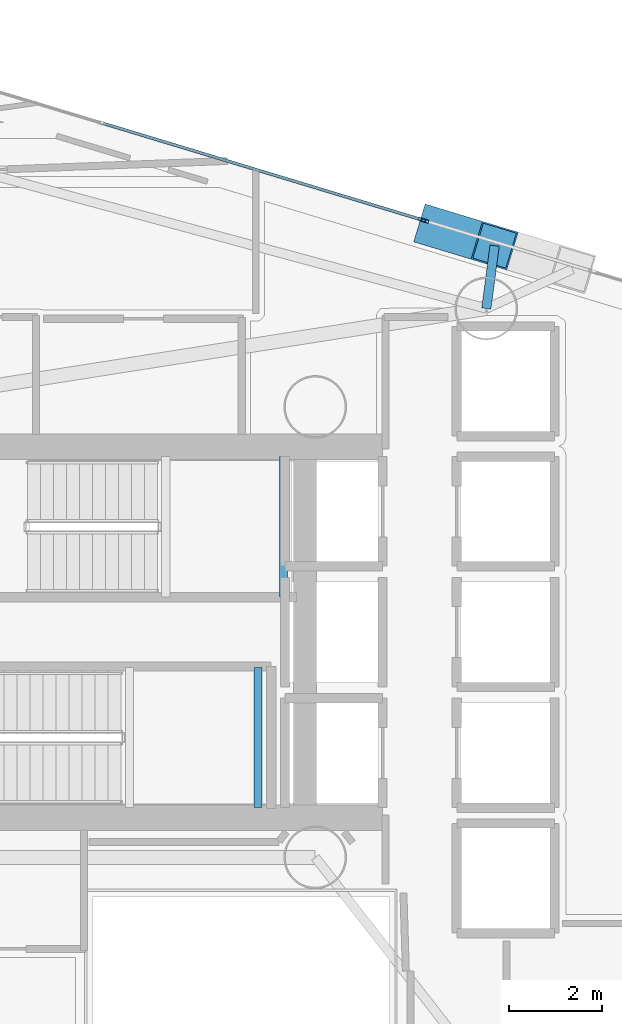
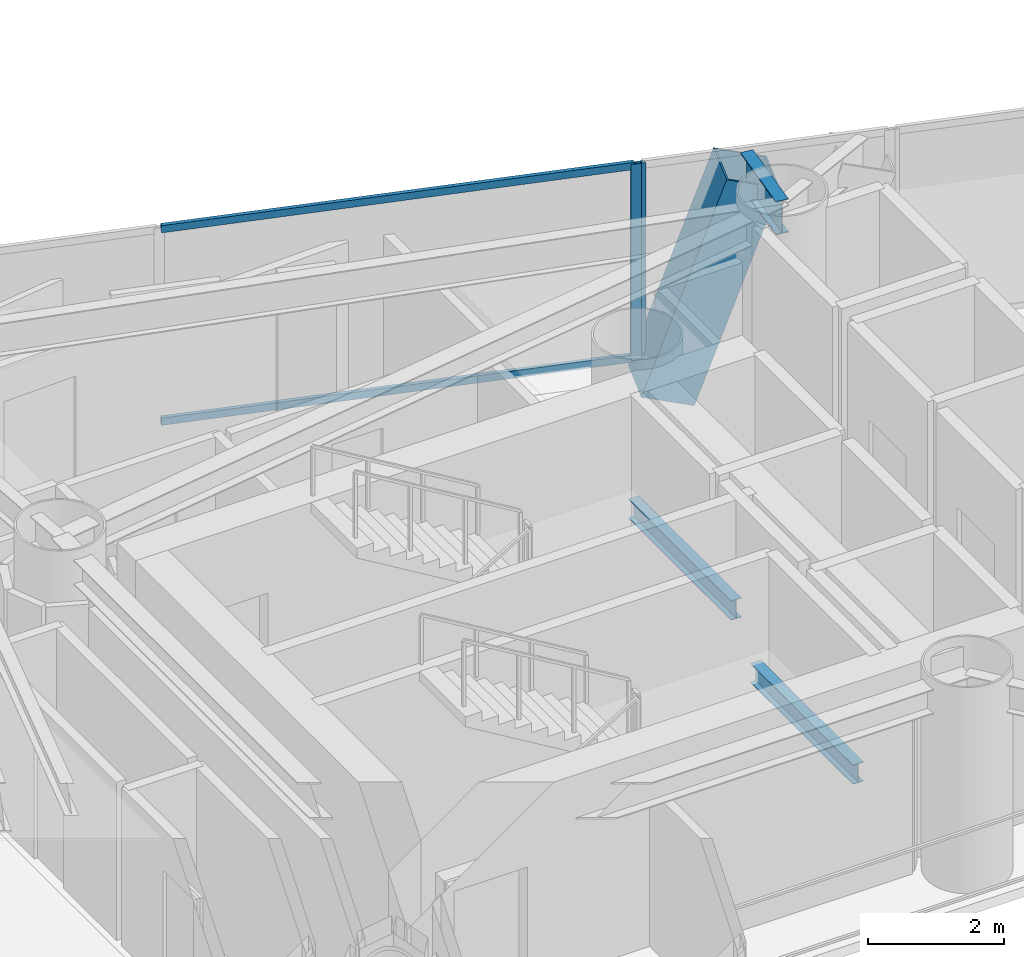
# One storey, part 13 of 22: 5 members, 3 beams, 2 elements without a shape of their own.
"""IFC4 building model written with IfcOpenShell, lengths in metres."""

from ifc_helpers import new_model, si_unit, direction, frame, origin, origin_2d, place, context, subcontext, project, spatial, hollow_rectangle, i_section, extrude, material, layer, layer_set, material_profile, profile_set, type_object, element, aggregate, save


model = new_model("IFC4")

# Units and contexts
model_context = context("Model", 3, precision=1e-05, world=origin(), true_north=direction((0.0, 1.0)))
body_context = subcontext(model_context, "Body", "Model", "MODEL_VIEW")
ifc_project = project(units=[si_unit("LENGTHUNIT", "METRE"), si_unit("AREAUNIT", "SQUARE_METRE"), si_unit("VOLUMEUNIT", "CUBIC_METRE"), si_unit("PLANEANGLEUNIT", "RADIAN"), si_unit("MASSUNIT", "GRAM", prefix="KILO")], contexts=[model_context])

# Site, building, storey
site_placement = place(None, origin())
site = spatial("IfcSite", under=ifc_project, at=site_placement, CompositionType="ELEMENT")
building_placement = place(site_placement, origin())
building = spatial("IfcBuilding", under=site, at=building_placement, Name="Qianvela Tower", CompositionType="ELEMENT")
storey_placement = place(building_placement, frame((0.0, 0.0, 177.199951171875)))
storey = spatial("IfcBuildingStorey", under=building, at=storey_placement, Name="L45", CompositionType="ELEMENT", Elevation=177.199951171875)

# Beams
ifc_material_1 = material(Name="Steel Q355B", Category="steel")
ifc_material_profile_1 = material_profile(ifc_material_1, i_section(OverallWidth=0.175048828125, OverallDepth=0.35009765625, WebThickness=0.007080078125, FlangeThickness=0.010986328125, at=origin_2d()), Name="HN350x175x7x11")
ifc_profile_set_1 = profile_set([ifc_material_profile_1], Name="Steel Q355B")
beam_type_1 = type_object("IfcBeamType", Name="BM-HN350-JOIST", PredefinedType="JOIST", material=ifc_profile_set_1)
for number, where, z_axis, x_axis, name in (
    (1, (37.719970703125, 29.4599609375, 1.47509765625), (0.0, 1.0, 0.0), (-1.0, 0.0, 0.0), "L45 Stair ST-1 Landing Support Beam 1.2"),
    (2, (37.169921875, 24.919921875, 1.47509765625), (0.0, 1.0, 0.0), (-1.0, 0.0, 0.0), "L45 Stair ST-2 Landing Support Beam 1.2"),
):
    element("IfcBeam", number, at=place(storey_placement, frame(where, z_axis=z_axis, x_axis=x_axis)), inside=storey, type_object=beam_type_1, Name=name, PredefinedType="JOIST", context=body_context, shape_type="SweptSolid", body=[
        extrude(i_section(OverallWidth=0.175048828125, OverallDepth=0.35009765625, WebThickness=0.007080078125, FlangeThickness=0.010986328125, at=origin_2d()), origin(), (0.0, 0.0, 1.0), 3.02001953125),
    ])
ifc_material_2 = material(Name="Steel Q355B", Category="steel")
ifc_material_profile_2 = material_profile(ifc_material_2, i_section(OverallWidth=0.199951171875, OverallDepth=0.60009765625, WebThickness=0.010986328125, FlangeThickness=0.01708984375, at=origin_2d()), Name="HN600x200x11x17")
ifc_profile_set_2 = profile_set([ifc_material_profile_2], Name="Steel Q355B")
beam_type_2 = type_object("IfcBeamType", Name="BM-HN600-GIRD", PredefinedType="BEAM", material=ifc_profile_set_2)
beam_placement = place(storey_placement, frame((42.0830078125, 35.6689453125, 3.218017578125), z_axis=(0.131495723215, 0.991316737867, 0.0), x_axis=(-0.991316737867, 0.131495723215, 0.0)))
element("IfcBeam", 3, at=beam_placement, inside=storey, type_object=beam_type_2, Name="L45 Mega-Brace Column Tie Bracket F1-2", PredefinedType="BEAM", context=body_context, shape_type="SweptSolid", body=[
    extrude(i_section(OverallWidth=0.199951171875, OverallDepth=0.60009765625, WebThickness=0.010986328125, FlangeThickness=0.01708984375, at=origin_2d()), origin(), (0.0, 0.0, 1.0), 1.36474609375),
])

# Curtain wall, member
ifc_material_3 = material(Name="Anodised Architectural Aluminium and Insulated Spandrel Panel", Category="aluminium")
ifc_layer_1 = layer(ifc_material_3, 0.179931640625)
ifc_layer_set_1 = layer_set([ifc_layer_1], Name="Anodised Architectural Aluminium and Insulated Spandrel Panel")
curtain_wall_type_1 = type_object("IfcCurtainWallType", Name="CW-BRACEBAY", PredefinedType="USERDEFINED", material=ifc_layer_set_1)
curtain_wall_1_placement = place(storey_placement, origin())
curtain_wall_1 = element("IfcCurtainWall", 4, at=curtain_wall_1_placement, inside=storey, type_object=curtain_wall_type_1, Name="L45 CW-BRACEBAY Curtain Wall 02B", ObjectType="CURTAIN_WALL_SYSTEM", PredefinedType="USERDEFINED")
ifc_material_4 = material(Name="Anodised Architectural Aluminium 6063-T6", Category="aluminium")
ifc_material_profile_3 = material_profile(ifc_material_4, hollow_rectangle(XDim=0.06494140625, YDim=0.159912109375, WallThickness=0.0048828125, at=origin_2d()), Name="ALU-MULL-65x160")
ifc_profile_set_3 = profile_set([ifc_material_profile_3], Name="Anodised Architectural Aluminium 6063-T6")
member_type_1 = type_object("IfcMemberType", Name="CW-BRACEBAY-MULL", PredefinedType="MULLION", material=ifc_profile_set_3)
member_1_placement = place(storey_placement, frame((40.7626953125, 37.55908203125, 0.0), z_axis=(0.0, 0.0, 1.0), x_axis=(-0.289581992541, -0.95715321114, 0.0)))
member_1 = element("IfcMember", 5, at=member_1_placement, type_object=member_type_1, Name="CW-9 mullion 2", PredefinedType="MULLION", context=body_context, shape_type="SweptSolid", body=[
    extrude(hollow_rectangle(XDim=0.06494140625, YDim=0.159912109375, WallThickness=0.0048828125, at=origin_2d()), origin(), (0.0, 0.0, 1.0), 3.52001953125),
])
aggregate(curtain_wall_1, [member_1])

# Curtain wall, members
ifc_material_5 = material(Name="Anodised Architectural Aluminium and Low-E Glass", Category="aluminium")
ifc_layer_2 = layer(ifc_material_5, 0.169921875)
ifc_layer_set_2 = layer_set([ifc_layer_2], Name="Anodised Architectural Aluminium and Low-E Glass")
curtain_wall_type_2 = type_object("IfcCurtainWallType", Name="CW-COLIV-Z34", PredefinedType="USERDEFINED", material=ifc_layer_set_2)
curtain_wall_2_placement = place(storey_placement, origin())
curtain_wall_2 = element("IfcCurtainWall", 6, at=curtain_wall_2_placement, inside=storey, type_object=curtain_wall_type_2, Name="L45 CW-COLIV-Z34 Curtain Wall 02C", ObjectType="CURTAIN_WALL_SYSTEM", PredefinedType="USERDEFINED")
ifc_material_6 = material(Name="Anodised Architectural Aluminium 6063-T6", Category="aluminium")
ifc_material_profile_4 = material_profile(ifc_material_6, hollow_rectangle(XDim=0.06494140625, YDim=0.159912109375, WallThickness=0.0048828125, at=origin_2d()), Name="ALU-MULL-65x160")
ifc_profile_set_4 = profile_set([ifc_material_profile_4], Name="Anodised Architectural Aluminium 6063-T6")
member_type_2 = type_object("IfcMemberType", Name="CW-COLIV-Z34-MULL", PredefinedType="MULLION", material=ifc_profile_set_4)
member_2_placement = place(storey_placement, frame((40.700439453125, 37.577880859375, 0.0), z_axis=(0.0, 0.0, 1.0), x_axis=(-0.289584676809, -0.957152399024, 0.0)))
member_2 = element("IfcMember", 7, at=member_2_placement, type_object=member_type_2, Name="CW-4 mullion 1", PredefinedType="MULLION", context=body_context, shape_type="SweptSolid", body=[
    extrude(hollow_rectangle(XDim=0.06494140625, YDim=0.159912109375, WallThickness=0.0048828125, at=origin_2d()), origin(), (0.0, 0.0, 1.0), 3.52001953125),
])
ifc_material_7 = material(Name="Anodised Architectural Aluminium 6063-T6", Category="aluminium")
ifc_material_profile_5 = material_profile(ifc_material_7, hollow_rectangle(XDim=0.06494140625, YDim=0.1298828125, WallThickness=0.00439453125, at=origin_2d()), Name="ALU-TRAN-65x130")
ifc_profile_set_5 = profile_set([ifc_material_profile_5], Name="Anodised Architectural Aluminium 6063-T6")
member_type_3 = type_object("IfcMemberType", Name="CW-COLIV-Z34-TRAN", PredefinedType="USERDEFINED", material=ifc_profile_set_5)
member_3_placement = place(storey_placement, frame((40.66943359375, 37.58740234375, 0.032470703125), z_axis=(-0.957154097479, 0.289579062916, 0.0), x_axis=(-0.289579062916, -0.957154097479, 0.0)))
member_3 = element("IfcMember", 8, at=member_3_placement, type_object=member_type_3, Name="CW-4 transom 1.1", ObjectType="TRANSOM", PredefinedType="USERDEFINED", context=body_context, shape_type="SweptSolid", body=[
    extrude(hollow_rectangle(XDim=0.06494140625, YDim=0.1298828125, WallThickness=0.00439453125, at=origin_2d()), origin(), (0.0, 0.0, 1.0), 7.135009765625),
])
member_4_placement = place(storey_placement, frame((40.66943359375, 37.58740234375, 3.487548828125), z_axis=(-0.957154097479, 0.289579062916, 0.0), x_axis=(-0.289579062916, -0.957154097479, 0.0)))
member_4 = element("IfcMember", 9, at=member_4_placement, type_object=member_type_3, Name="CW-4 transom 1.2", ObjectType="TRANSOM", PredefinedType="USERDEFINED", context=body_context, shape_type="SweptSolid", body=[
    extrude(hollow_rectangle(XDim=0.06494140625, YDim=0.1298828125, WallThickness=0.00439453125, at=origin_2d()), origin(), (0.0, 0.0, 1.0), 7.135009765625),
])
aggregate(curtain_wall_2, [member_2, member_3, member_4])

# Member
ifc_material_8 = material(Name="Steel Q420GJC", Category="steel")
ifc_material_profile_6 = material_profile(ifc_material_8, hollow_rectangle(XDim=0.85009765625, YDim=0.85009765625, WallThickness=0.031982421875, at=origin_2d()), Name="MBOX-850x850x32")
ifc_profile_set_6 = profile_set([ifc_material_profile_6], Name="Steel Q420GJC")
member_type_4 = type_object("IfcMemberType", Name="MBR-MBRACE-850", PredefinedType="BRACE", material=ifc_profile_set_6)
member_5_placement = place(storey_placement, frame((41.028076171875, 37.395263671875, -0.48193359375), z_axis=(0.315030520305, -0.095331625013, 0.944281553642), x_axis=(0.289639586665, 0.95713578443, 0.0)))
element("IfcMember", 10, at=member_5_placement, inside=storey, type_object=member_type_4, Name="L45 Tier 7 Exterior Mega-Brace F1B", PredefinedType="BRACE", context=body_context, shape_type="SweptSolid", body=[
    extrude(hollow_rectangle(XDim=0.85009765625, YDim=0.85009765625, WallThickness=0.031982421875, at=origin_2d()), origin(), (0.0, 0.0, 1.0), 3.918212890625),
])

save(model, "model.ifc")
